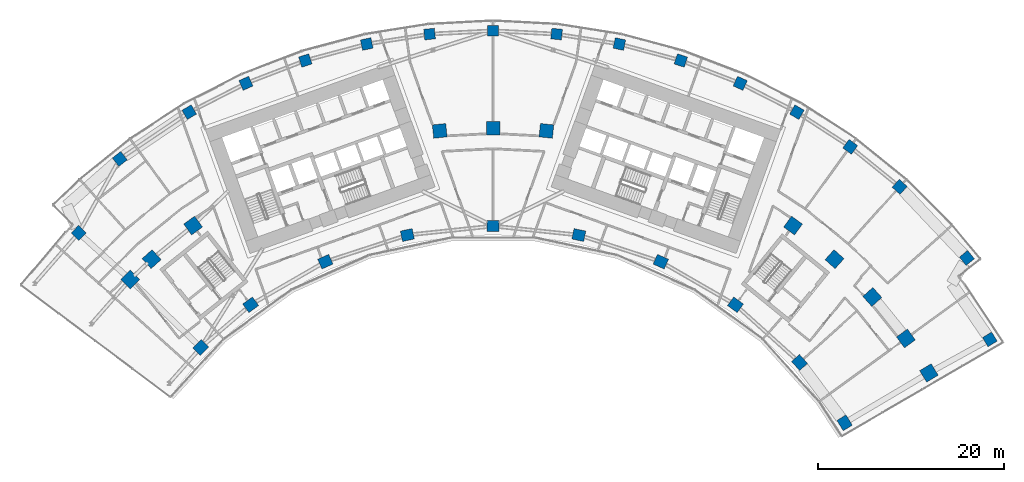
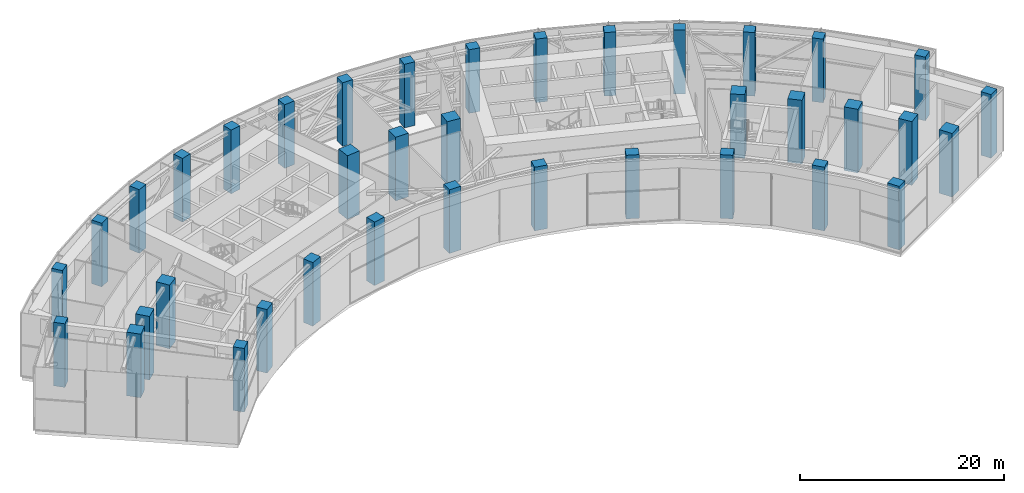
# One storey, part 1 of 30: 38 columns.
"""IFC4 building model written with IfcOpenShell, lengths in metres."""

from ifc_helpers import new_model, si_unit, direction, frame, origin, origin_2d, place, context, subcontext, project, spatial, rectangle, extrude, material, material_profile, profile_set, type_object, element, save


model = new_model("IFC4")

# Units and contexts
model_context = context("Model", 3, precision=1e-05, world=origin(), true_north=direction((0.0, 1.0)))
body_context = subcontext(model_context, "Body", "Model", "MODEL_VIEW")
ifc_project = project(units=[si_unit("LENGTHUNIT", "METRE"), si_unit("AREAUNIT", "SQUARE_METRE"), si_unit("VOLUMEUNIT", "CUBIC_METRE"), si_unit("PLANEANGLEUNIT", "RADIAN"), si_unit("MASSUNIT", "GRAM", prefix="KILO")], contexts=[model_context])

# Site, building, storey
site_placement = place(None, origin())
site = spatial("IfcSite", under=ifc_project, at=site_placement, CompositionType="ELEMENT")
building_placement = place(site_placement, origin())
building = spatial("IfcBuilding", under=site, at=building_placement, Name="Stone Belt Terrace Tower", CompositionType="ELEMENT")
storey_placement = place(building_placement, frame((0.0, 0.0, 136.39990234375)))
storey = spatial("IfcBuildingStorey", under=building, at=storey_placement, Name="L33", CompositionType="ELEMENT", Elevation=136.39990234375)

# Columns
ifc_material = material(Name="Concrete B80", Category="concrete")
ifc_material_profile_1 = material_profile(ifc_material, rectangle(XDim=1.14990234375, YDim=1.14990234375, at=origin_2d()), Name="RC 1150x1150")
ifc_profile_set_1 = profile_set([ifc_material_profile_1], Name="Concrete B80")
column_type_1 = type_object("IfcColumnType", Name="Column RC 1150x1150 B80", PredefinedType="COLUMN", material=ifc_profile_set_1)
for number, where, z_axis, x_axis, name in (
    (1, (-44.660400390625, 43.70703125, 0.0), (0.0, 0.0, 1.0), (0.699437600403, 0.714693670842, 0.0), "Column L33 RA"),
    (2, (53.53662109375, 32.228515625, 0.0), (0.0, 0.0, 1.0), (0.515750011733, -0.856739123303, 0.0), "Column L33 RB"),
    (3, (-40.231201171875, 51.674560546875, 0.0), (0.0, 0.0, 1.0), (0.789057280835, 0.614319629803, 0.0), "Column L33 RNA"),
    (4, (-32.744384765625, 56.715087890625, 0.0), (0.0, 0.0, 1.0), (0.866025403784, 0.5, 0.0), "Column L33 R17"),
    (5, (-26.63671875, 59.8271484375, 0.0), (0.0, 0.0, 1.0), (0.913545457643, 0.406736643076, 0.0), "Column L33 R18"),
    (6, (-20.2373046875, 62.28369140625, 0.0), (0.0, 0.0, 1.0), (0.951056516295, 0.309016994375, 0.0), "Column L33 R19"),
    (7, (-13.615966796875, 64.057861328125, 0.0), (0.0, 0.0, 1.0), (0.978147600734, 0.207911690818, 0.0), "Column L33 R20"),
    (8, (-6.845458984375, 65.130126953125, 0.0), (0.0, 0.0, 1.0), (0.994521895368, 0.104528463268, 0.0), "Column L33 R21"),
    (9, (0.0, 65.489013671875, 0.0), (0.0, 0.0, 1.0), (1.0, 0.0, 0.0), "Column L33 R22"),
    (10, (6.845458984375, 65.130126953125, 0.0), (0.0, 0.0, 1.0), (0.994521895368, -0.104528463268, 0.0), "Column L33 R23"),
    (11, (13.615966796875, 64.057861328125, 0.0), (0.0, 0.0, 1.0), (0.978147600734, -0.207911690818, 0.0), "Column L33 R24"),
    (12, (20.2373046875, 62.28369140625, 0.0), (0.0, 0.0, 1.0), (0.951056516295, -0.309016994375, 0.0), "Column L33 R25"),
    (13, (26.63671875, 59.8271484375, 0.0), (0.0, 0.0, 1.0), (0.913545457643, -0.406736643076, 0.0), "Column L33 R26"),
    (14, (32.744384765625, 56.715087890625, 0.0), (0.0, 0.0, 1.0), (0.866025403784, -0.5, 0.0), "Column L33 R27"),
    (15, (38.493408203125, 52.981689453125, 0.0), (0.0, 0.0, 1.0), (0.809016994375, -0.587785252292, 0.0), "Column L33 R28"),
    (16, (43.820556640625, 48.667724609375, 0.0), (0.0, 0.0, 1.0), (0.743144825477, -0.669130606359, 0.0), "Column L33 R29"),
    (17, (51.064208984375, 41.002685546875, 0.0), (0.0, 0.0, 1.0), (0.626104488961, -0.779739167224, 0.0), "Column L33 RNB"),
):
    element("IfcColumn", number, at=place(storey_placement, frame(where, z_axis=z_axis, x_axis=x_axis)), inside=storey, type_object=column_type_1, Name=name, PredefinedType="COLUMN", context=body_context, shape_type="SweptSolid", body=[
        extrude(rectangle(XDim=1.14990234375, YDim=1.14990234375, at=origin_2d()), origin(), (0.0, 0.0, 1.0), 7.60009765625),
    ])
ifc_material_profile_2 = material_profile(ifc_material, rectangle(XDim=1.300048828125, YDim=1.14990234375, at=origin_2d()), Name="RC 1300x1150")
ifc_profile_set_2 = profile_set([ifc_material_profile_2], Name="Concrete B80")
column_type_2 = type_object("IfcColumnType", Name="Column RC 1300x1150 B80", PredefinedType="COLUMN", material=ifc_profile_set_2)
for number, where, z_axis, x_axis, name in (
    (18, (-31.5078125, 31.3466796875, 0.0), (0.0, 0.0, 1.0), (0.705293990601, 0.708914936239, 0.0), "Column L33 PA"),
    (19, (-26.1240234375, 35.956787109375, 0.0), (0.0, 0.0, 1.0), (0.809016994375, 0.587785252292, 0.0), "Column L33 P16"),
    (20, (-18.077392578125, 40.6025390625, 0.0), (0.0, 0.0, 1.0), (0.913545457643, 0.406736643076, 0.0), "Column L33 P18"),
    (21, (-9.240478515625, 43.473876953125, 0.0), (0.0, 0.0, 1.0), (0.978147600734, 0.207911690818, 0.0), "Column L33 P20"),
    (22, (0.0, 44.445068359375, 0.0), (0.0, 0.0, 1.0), (1.0, 0.0, 0.0), "Column L33 P22"),
    (23, (9.240478515625, 43.473876953125, 0.0), (0.0, 0.0, 1.0), (0.978147600734, -0.207911690818, 0.0), "Column L33 P24"),
    (24, (18.077392578125, 40.6025390625, 0.0), (0.0, 0.0, 1.0), (0.913545457643, -0.406736643076, 0.0), "Column L33 P26"),
    (25, (26.1240234375, 35.956787109375, 0.0), (0.0, 0.0, 1.0), (0.809016994375, -0.587785252292, 0.0), "Column L33 P28"),
    (26, (33.029052734375, 29.739501953125, 0.0), (0.0, 0.0, 1.0), (0.669130606359, -0.743144825477, 0.0), "Column L33 P30"),
    (27, (37.887939453125, 23.235107421875, 0.0), (0.0, 0.0, 1.0), (0.522781282168, -0.852466850391, 0.0), "Column L33 PB"),
):
    element("IfcColumn", number, at=place(storey_placement, frame(where, z_axis=z_axis, x_axis=x_axis)), inside=storey, type_object=column_type_2, Name=name, PredefinedType="COLUMN", context=body_context, shape_type="SweptSolid", body=[
        extrude(rectangle(XDim=1.300048828125, YDim=1.14990234375, at=origin_2d()), origin(), (0.0, 0.0, 1.0), 7.60009765625),
    ])
ifc_material_profile_3 = material_profile(ifc_material, rectangle(XDim=1.449951171875, YDim=1.449951171875, at=origin_2d()), Name="RC 1450x1450")
ifc_profile_set_3 = profile_set([ifc_material_profile_3], Name="Concrete B80")
column_type_3 = type_object("IfcColumnType", Name="Column RC 1450x1450 B80", PredefinedType="COLUMN", material=ifc_profile_set_3)
for number, where, z_axis, x_axis, name in (
    (28, (-39.108154296875, 38.67236328125, 0.0), (0.0, 0.0, 1.0), (0.703134133957, 0.711057233748, 0.0), "Column L33 QA"),
    (29, (-36.80224609375, 40.873046875, 0.0), (0.0, 0.0, 1.0), (0.743144825477, 0.669130606359, 0.0), "Column L33 Q15"),
    (30, (-32.328125, 44.495849609375, 0.0), (0.0, 0.0, 1.0), (0.809016994375, 0.587785252292, 0.0), "Column L33 Q16"),
    (31, (-5.7490234375, 54.69873046875, 0.0), (0.0, 0.0, 1.0), (0.994521895368, 0.104528463268, 0.0), "Column L33 Q21"),
    (32, (0.0, 55.0, 0.0), (0.0, 0.0, 1.0), (1.0, 0.0, 0.0), "Column L33 Q22"),
    (33, (5.7490234375, 54.69873046875, 0.0), (0.0, 0.0, 1.0), (0.994521895368, -0.104528463268, 0.0), "Column L33 Q23"),
    (34, (32.328125, 44.495849609375, 0.0), (0.0, 0.0, 1.0), (0.809016994375, -0.587785252292, 0.0), "Column L33 Q28"),
    (35, (36.80224609375, 40.873046875, 0.0), (0.0, 0.0, 1.0), (0.743144825477, -0.669130606359, 0.0), "Column L33 Q29"),
    (36, (40.873046875, 36.80224609375, 0.0), (0.0, 0.0, 1.0), (0.669130606359, -0.743144825477, 0.0), "Column L33 Q30"),
    (37, (44.495849609375, 32.328125, 0.0), (0.0, 0.0, 1.0), (0.587785252292, -0.809016994375, 0.0), "Column L33 Q31"),
    (38, (46.972900390625, 28.610107421875, 0.0), (0.0, 0.0, 1.0), (0.520185570168, -0.854053260979, 0.0), "Column L33 QB"),
):
    element("IfcColumn", number, at=place(storey_placement, frame(where, z_axis=z_axis, x_axis=x_axis)), inside=storey, type_object=column_type_3, Name=name, PredefinedType="COLUMN", context=body_context, shape_type="SweptSolid", body=[
        extrude(rectangle(XDim=1.449951171875, YDim=1.449951171875, at=origin_2d()), origin(), (0.0, 0.0, 1.0), 7.60009765625),
    ])

save(model, "model.ifc")
